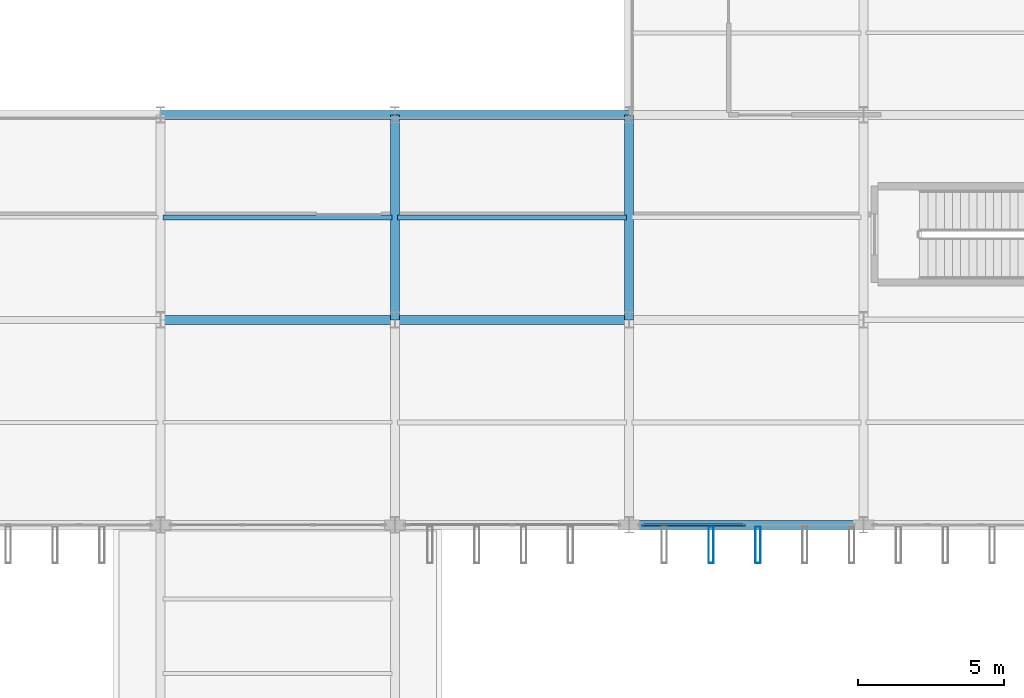
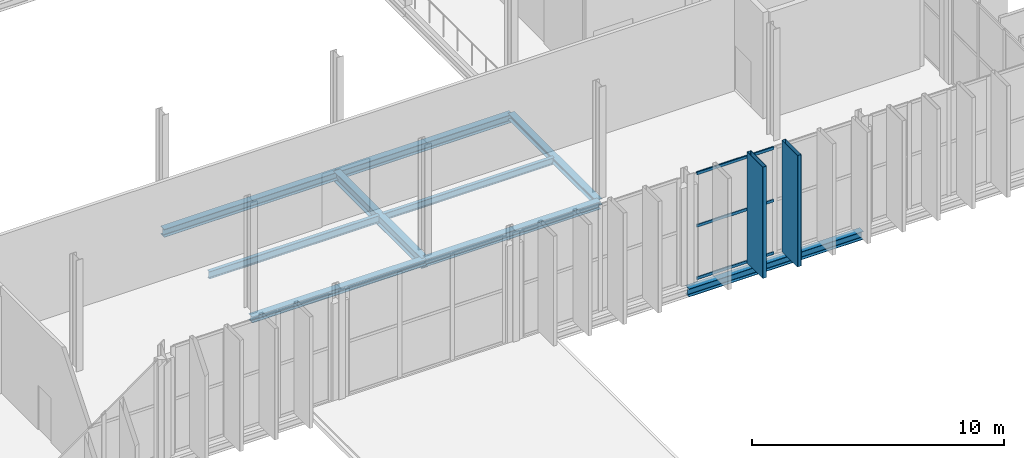
# One storey, part 42 of 147: 9 beams, 5 members, 1 element without a shape of its own.
"""IFC4 building model written with IfcOpenShell, lengths in metres."""

from ifc_helpers import new_model, si_unit, direction, frame, origin, origin_2d, place, context, subcontext, project, spatial, hollow_rectangle, i_section, extrude, material, layer, layer_set, material_profile, profile_set, type_object, element, aggregate, save


model = new_model("IFC4")

# Units and contexts
model_context = context("Model", 3, precision=1e-05, world=origin(), true_north=direction((0.0, 1.0)))
body_context = subcontext(model_context, "Body", "Model", "MODEL_VIEW")
ifc_project = project(units=[si_unit("LENGTHUNIT", "METRE"), si_unit("AREAUNIT", "SQUARE_METRE"), si_unit("VOLUMEUNIT", "CUBIC_METRE"), si_unit("PLANEANGLEUNIT", "RADIAN"), si_unit("MASSUNIT", "GRAM", prefix="KILO")], contexts=[model_context])

# Site, building, storey
site_placement = place(None, origin())
site = spatial("IfcSite", under=ifc_project, at=site_placement, CompositionType="ELEMENT")
building_placement = place(site_placement, origin())
building = spatial("IfcBuilding", under=site, at=building_placement, Name="Vekula Escarpment Museum", CompositionType="ELEMENT")
storey_placement = place(building_placement, frame((0.0, 0.0, 7.800048828125)))
storey = spatial("IfcBuildingStorey", under=building, at=storey_placement, Name="L02", CompositionType="ELEMENT", Elevation=7.800048828125)

# Beams
ifc_material_1 = material(Name="Steel S355", Category="steel")
ifc_material_profile_1 = material_profile(ifc_material_1, i_section(OverallWidth=0.300048828125, OverallDepth=0.300048828125, WebThickness=0.010986328125, FlangeThickness=0.01904296875, FilletRadius=0.027099609375, at=origin_2d()), Name="HEB 300")
ifc_profile_set_1 = profile_set([ifc_material_profile_1], Name="Steel S355")
beam_type_1 = type_object("IfcBeamType", Name="BM-GIRD-HEB300", PredefinedType="BEAM", material=ifc_profile_set_1)
beam_1_placement = place(storey_placement, frame((94.0, 52.60009765625, -0.41015625), z_axis=(1.0, 0.0, 0.0), x_axis=(0.0, 1.0, 0.0)))
element("IfcBeam", 1, at=beam_1_placement, inside=storey, type_object=beam_type_1, Name="Beam X L02 0863", PredefinedType="BEAM", context=body_context, shape_type="SweptSolid", body=[
    extrude(i_section(OverallWidth=0.300048828125, OverallDepth=0.300048828125, WebThickness=0.010986328125, FlangeThickness=0.01904296875, FilletRadius=0.027099609375, at=origin_2d()), origin(), (0.0, 0.0, 1.0), 8.0),
])
ifc_material_2 = material(Name="Steel S355", Category="steel")
ifc_material_profile_2 = material_profile(ifc_material_2, i_section(OverallWidth=0.300048828125, OverallDepth=0.360107421875, WebThickness=0.012451171875, FlangeThickness=0.0224609375, FilletRadius=0.027099609375, at=origin_2d()), Name="HEB 360")
ifc_profile_set_2 = profile_set([ifc_material_profile_2], Name="Steel S355")
beam_type_2 = type_object("IfcBeamType", Name="BM-GIRD-HEB360", PredefinedType="BEAM", material=ifc_profile_set_2)
beam_2_placement = place(storey_placement, frame((102.0, 52.60009765625, -0.43994140625), z_axis=(1.0, 0.0, 0.0), x_axis=(0.0, 1.0, 0.0)))
element("IfcBeam", 2, at=beam_2_placement, inside=storey, type_object=beam_type_2, Name="Beam X L02 0864", PredefinedType="BEAM", context=body_context, shape_type="SweptSolid", body=[
    extrude(i_section(OverallWidth=0.300048828125, OverallDepth=0.360107421875, WebThickness=0.012451171875, FlangeThickness=0.0224609375, FilletRadius=0.027099609375, at=origin_2d()), origin(), (0.0, 0.0, 1.0), 8.0),
])
ifc_material_3 = material(Name="Steel S355", Category="steel")
ifc_material_profile_3 = material_profile(ifc_material_3, i_section(OverallWidth=0.300048828125, OverallDepth=0.5, WebThickness=0.014404296875, FlangeThickness=0.028076171875, FilletRadius=0.027099609375, at=origin_2d()), Name="HEB 500")
ifc_profile_set_3 = profile_set([ifc_material_profile_3], Name="Steel S355")
beam_type_3 = type_object("IfcBeamType", Name="BM-GIRD-HEB500", PredefinedType="BEAM", material=ifc_profile_set_3)
beam_3_placement = place(storey_placement, frame((102.0, 52.60009765625, -0.510009765625), z_axis=(0.0, 1.0, 0.0), x_axis=(-1.0, 0.0, 0.0)))
element("IfcBeam", 3, at=beam_3_placement, inside=storey, type_object=beam_type_3, Name="Beam Y L02 1175", PredefinedType="BEAM", context=body_context, shape_type="SweptSolid", body=[
    extrude(i_section(OverallWidth=0.300048828125, OverallDepth=0.5, WebThickness=0.014404296875, FlangeThickness=0.028076171875, FilletRadius=0.027099609375, at=origin_2d()), origin(), (0.0, 0.0, 1.0), 7.0),
])
ifc_material_4 = material(Name="Steel S355", Category="steel")
ifc_material_profile_4 = material_profile(ifc_material_4, i_section(OverallWidth=0.159912109375, OverallDepth=0.330078125, WebThickness=0.007568359375, FlangeThickness=0.011474609375, FilletRadius=0.01806640625, at=origin_2d()), Name="IPE 330")
ifc_profile_set_4 = profile_set([ifc_material_profile_4], Name="Steel S355")
beam_type_4 = type_object("IfcBeamType", Name="BM-JST-IPE330", PredefinedType="JOIST", material=ifc_profile_set_4)
beam_4_placement = place(storey_placement, frame((102.090087890625, 56.10009765625, -0.425048828125), z_axis=(1.0, 0.0, 0.0), x_axis=(0.0, 1.0, 0.0)))
element("IfcBeam", 4, at=beam_4_placement, inside=storey, type_object=beam_type_4, Name="Secondary Joist L02 0797", PredefinedType="JOIST", context=body_context, shape_type="SweptSolid", body=[
    extrude(i_section(OverallWidth=0.159912109375, OverallDepth=0.330078125, WebThickness=0.007568359375, FlangeThickness=0.011474609375, FilletRadius=0.01806640625, at=origin_2d()), origin(), (0.0, 0.0, 1.0), 7.81982421875),
])
ifc_material_5 = material(Name="Steel S355", Category="steel")
ifc_material_profile_5 = material_profile(ifc_material_5, i_section(OverallWidth=0.169921875, OverallDepth=0.360107421875, WebThickness=0.008056640625, FlangeThickness=0.0126953125, FilletRadius=0.01806640625, at=origin_2d()), Name="IPE 360")
ifc_profile_set_5 = profile_set([ifc_material_profile_5], Name="Steel S355")
beam_type_5 = type_object("IfcBeamType", Name="BM-JST-IPE360", PredefinedType="JOIST", material=ifc_profile_set_5)
beam_5_placement = place(storey_placement, frame((94.090087890625, 56.10009765625, -0.43994140625), z_axis=(1.0, 0.0, 0.0), x_axis=(0.0, 1.0, 0.0)))
element("IfcBeam", 5, at=beam_5_placement, inside=storey, type_object=beam_type_5, Name="Secondary Joist L02 0777", PredefinedType="JOIST", context=body_context, shape_type="SweptSolid", body=[
    extrude(i_section(OverallWidth=0.169921875, OverallDepth=0.360107421875, WebThickness=0.008056640625, FlangeThickness=0.0126953125, FilletRadius=0.01806640625, at=origin_2d()), origin(), (0.0, 0.0, 1.0), 7.81982421875),
])
ifc_material_6 = material(Name="Steel S355", Category="steel")
ifc_material_profile_6 = material_profile(ifc_material_6, i_section(OverallWidth=0.300048828125, OverallDepth=0.2900390625, WebThickness=0.008544921875, FlangeThickness=0.013916015625, FilletRadius=0.027099609375, at=origin_2d()), Name="HEA 300")
ifc_profile_set_6 = profile_set([ifc_material_profile_6], Name="Steel S355")
beam_type_6 = type_object("IfcBeamType", Name="BM-SPAN-HEA300", PredefinedType="SPANDREL", material=ifc_profile_set_6)
beam_6_placement = place(storey_placement, frame((110.0, 52.60009765625, -0.405029296875), z_axis=(0.0, 1.0, 0.0), x_axis=(-1.0, 0.0, 0.0)))
element("IfcBeam", 6, at=beam_6_placement, inside=storey, type_object=beam_type_6, Name="Beam Y L02 1187", PredefinedType="SPANDREL", context=body_context, shape_type="SweptSolid", body=[
    extrude(i_section(OverallWidth=0.300048828125, OverallDepth=0.2900390625, WebThickness=0.008544921875, FlangeThickness=0.013916015625, FilletRadius=0.027099609375, at=origin_2d()), origin(), (0.0, 0.0, 1.0), 7.0),
])
ifc_material_7 = material(Name="Steel S355", Category="steel")
ifc_material_profile_7 = material_profile(ifc_material_7, i_section(OverallWidth=0.300048828125, OverallDepth=0.389892578125, WebThickness=0.010986328125, FlangeThickness=0.01904296875, FilletRadius=0.027099609375, at=origin_2d()), Name="HEA 400")
ifc_profile_set_7 = profile_set([ifc_material_profile_7], Name="Steel S355")
beam_type_7 = type_object("IfcBeamType", Name="BM-SPAN-HEA400", PredefinedType="SPANDREL", material=ifc_profile_set_7)
for number, where, z_axis, x_axis, name in (
    (7, (110.0, 45.60009765625, -0.455078125), (1.0, 0.0, 0.0), (0.0, 1.0, 0.0), "Beam X L02 0849"),
    (8, (94.0, 59.60009765625, -0.455078125), (1.0, 0.0, 0.0), (0.0, 1.0, 0.0), "Beam X L02 0881"),
    (9, (102.0, 59.60009765625, -0.455078125), (1.0, 0.0, 0.0), (0.0, 1.0, 0.0), "Beam X L02 0882"),
):
    element("IfcBeam", number, at=place(storey_placement, frame(where, z_axis=z_axis, x_axis=x_axis)), inside=storey, type_object=beam_type_7, Name=name, PredefinedType="SPANDREL", context=body_context, shape_type="SweptSolid", body=[
        extrude(i_section(OverallWidth=0.300048828125, OverallDepth=0.389892578125, WebThickness=0.010986328125, FlangeThickness=0.01904296875, FilletRadius=0.027099609375, at=origin_2d()), origin(), (0.0, 0.0, 1.0), 8.0),
    ])

# Curtain wall, members
ifc_material_8 = material(Name="Aluminium thermally broken framing", Category="aluminium")
ifc_layer = layer(ifc_material_8, 0.179931640625)
ifc_layer_set = layer_set([ifc_layer], Name="Aluminium thermally broken framing")
curtain_wall_type = type_object("IfcCurtainWallType", Name="CW-SYS-08", PredefinedType="NOTDEFINED", material=ifc_layer_set)
curtain_wall_placement = place(storey_placement, origin())
curtain_wall = element("IfcCurtainWall", 10, at=curtain_wall_placement, inside=storey, type_object=curtain_wall_type, Name="Curtain Wall CW-L02-058", PredefinedType="NOTDEFINED")
ifc_material_9 = material(Name="Aluminium anodized transom", Category="aluminium")
ifc_material_profile_8 = material_profile(ifc_material_9, hollow_rectangle(XDim=0.06494140625, YDim=0.139892578125, WallThickness=0.00390625, InnerFilletRadius=0.00390625, OuterFilletRadius=0.008056640625, at=origin_2d()), Name="ALU 140x65x4")
ifc_profile_set_8 = profile_set([ifc_material_profile_8], Name="Aluminium anodized transom")
member_type_1 = type_object("IfcMemberType", Name="CW-TRN-140", PredefinedType="USERDEFINED", material=ifc_profile_set_8)
member_1_placement = place(storey_placement, frame((110.425048828125, 45.60009765625, 0.032470703125), z_axis=(1.0, 0.0, 0.0), x_axis=(0.0, 1.0, 0.0)))
member_1 = element("IfcMember", 11, at=member_1_placement, type_object=member_type_1, Name="CW-08 transom 1.1", ObjectType="TRANSOM", PredefinedType="USERDEFINED", context=body_context, shape_type="SweptSolid", body=[
    extrude(hollow_rectangle(XDim=0.06494140625, YDim=0.139892578125, WallThickness=0.00390625, InnerFilletRadius=0.00390625, OuterFilletRadius=0.008056640625, at=origin_2d()), origin(), (0.0, 0.0, 1.0), 3.54248046875),
])
member_2_placement = place(storey_placement, frame((110.425048828125, 45.60009765625, 2.574951171875), z_axis=(1.0, 0.0, 0.0), x_axis=(0.0, 1.0, 0.0)))
member_2 = element("IfcMember", 12, at=member_2_placement, type_object=member_type_1, Name="CW-08 transom 1.2", ObjectType="TRANSOM", PredefinedType="USERDEFINED", context=body_context, shape_type="SweptSolid", body=[
    extrude(hollow_rectangle(XDim=0.06494140625, YDim=0.139892578125, WallThickness=0.00390625, InnerFilletRadius=0.00390625, OuterFilletRadius=0.008056640625, at=origin_2d()), origin(), (0.0, 0.0, 1.0), 3.54248046875),
])
member_3_placement = place(storey_placement, frame((110.425048828125, 45.60009765625, 5.117431640625), z_axis=(1.0, 0.0, 0.0), x_axis=(0.0, 1.0, 0.0)))
member_3 = element("IfcMember", 13, at=member_3_placement, type_object=member_type_1, Name="CW-08 transom 1.3", ObjectType="TRANSOM", PredefinedType="USERDEFINED", context=body_context, shape_type="SweptSolid", body=[
    extrude(hollow_rectangle(XDim=0.06494140625, YDim=0.139892578125, WallThickness=0.00390625, InnerFilletRadius=0.00390625, OuterFilletRadius=0.008056640625, at=origin_2d()), origin(), (0.0, 0.0, 1.0), 3.54248046875),
])
aggregate(curtain_wall, [member_1, member_2, member_3])

# Members
ifc_material_10 = material(Name="Steel S355 weathered bronze solar fin", Category="steel")
ifc_material_profile_9 = material_profile(ifc_material_10, hollow_rectangle(XDim=0.179931640625, YDim=1.25, WallThickness=0.010009765625, InnerFilletRadius=0.010009765625, OuterFilletRadius=0.02001953125, at=origin_2d()), Name="RHS 1250x180x10")
ifc_profile_set_9 = profile_set([ifc_material_profile_9], Name="Steel S355 weathered bronze solar fin")
member_type_2 = type_object("IfcMemberType", Name="MB-SOLAR-FIN", PredefinedType="USERDEFINED", material=ifc_profile_set_9)
for number, where, z_axis, x_axis, name in (
    (14, (112.800048828125, 44.919921875, 0.0), (0.0, 0.0, 1.0), (1.0, 0.0, 0.0), "Great Hall Vertical Solar Fin 0092"),
    (15, (114.39990234375, 44.919921875, 0.0), (0.0, 0.0, 1.0), (1.0, 0.0, 0.0), "Great Hall Vertical Solar Fin 0097"),
):
    element("IfcMember", number, at=place(storey_placement, frame(where, z_axis=z_axis, x_axis=x_axis)), inside=storey, type_object=member_type_2, Name=name, ObjectType="SOLAR FIN", PredefinedType="USERDEFINED", context=body_context, shape_type="SweptSolid", body=[
        extrude(hollow_rectangle(XDim=0.179931640625, YDim=1.25, WallThickness=0.010009765625, InnerFilletRadius=0.010009765625, OuterFilletRadius=0.02001953125, at=origin_2d()), origin(), (0.0, 0.0, 1.0), 5.39990234375),
    ])

save(model, "model.ifc")
